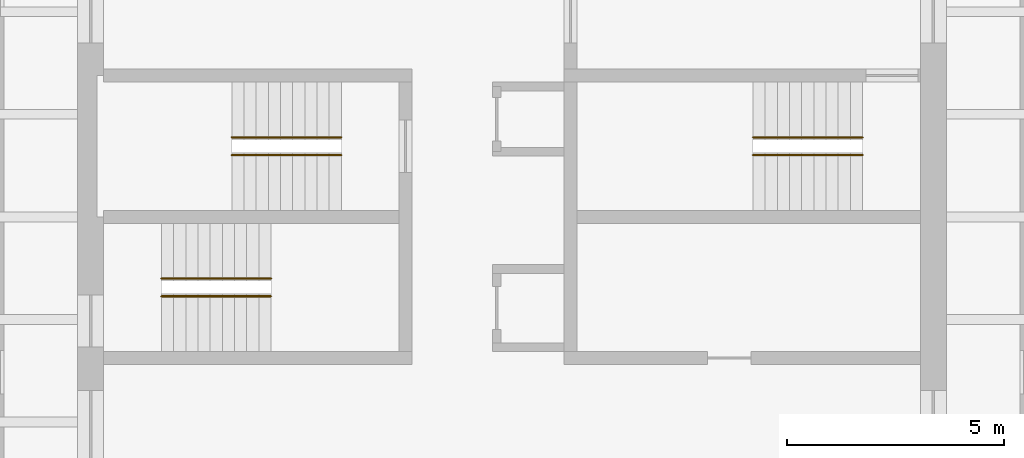
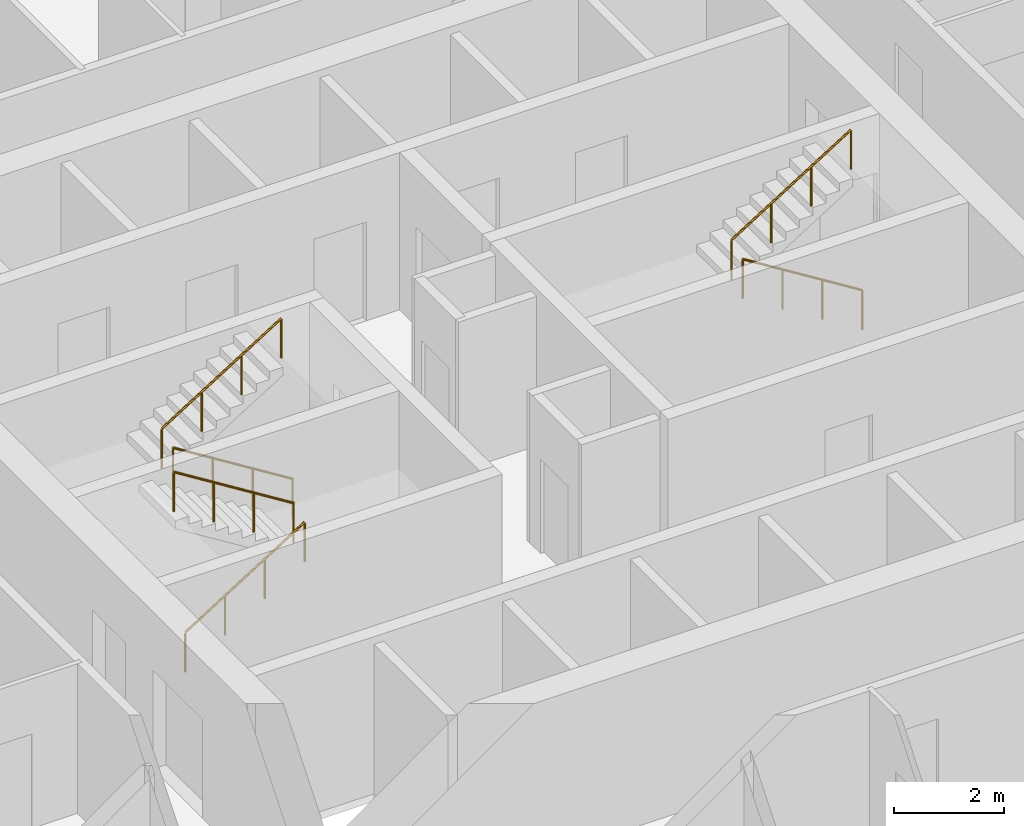
# One storey, part 10 of 10: 6 railings.
"""IFC4 building model written with IfcOpenShell, lengths in metres."""

from ifc_helpers import new_model, si_unit, direction, frame, origin, origin_2d, place, context, subcontext, project, spatial, circle, extrude, material, type_object, element, save


model = new_model("IFC4")

# Units and contexts
model_context = context("Model", 3, precision=1e-05, world=origin(), true_north=direction((0.0, 1.0)))
body_context = subcontext(model_context, "Body", "Model", "MODEL_VIEW")
ifc_project = project(units=[si_unit("LENGTHUNIT", "METRE"), si_unit("AREAUNIT", "SQUARE_METRE"), si_unit("VOLUMEUNIT", "CUBIC_METRE"), si_unit("PLANEANGLEUNIT", "RADIAN"), si_unit("MASSUNIT", "GRAM", prefix="KILO")], contexts=[model_context])

# Site, building, storey
site_placement = place(None, origin())
site = spatial("IfcSite", under=ifc_project, at=site_placement, CompositionType="ELEMENT")
building_placement = place(site_placement, origin())
building = spatial("IfcBuilding", under=site, at=building_placement, Name="Turquesa Mirador Hotel Tower", CompositionType="ELEMENT")
storey_placement = place(building_placement, frame((0.0, 0.0, 63.5)))
storey = spatial("IfcBuildingStorey", under=building, at=storey_placement, Name="L16", CompositionType="ELEMENT", Elevation=63.5)

# Railings
ifc_material = material(Name="Painted steel handrail", Category="steel")
railing_type = type_object("IfcRailingType", Name="HANDRAIL 900 STEEL", PredefinedType="HANDRAIL", material=ifc_material)
railing_1_placement = place(storey_placement, frame((51.070068359375, 46.419921875, 0.175048828125)))
element("IfcRailing", 1, at=railing_1_placement, inside=storey, type_object=railing_type, Name="Handrail ST1", PredefinedType="HANDRAIL", context=body_context, shape_type="SweptSolid", body=[
    extrude(circle(Radius=0.02392578125, at=origin_2d()), frame((0.0, 0.0, 0.8759765625), z_axis=(-0.848007534815, 0.0, 0.529984170421), x_axis=(0.0, -1.0, 0.0)), (0.0, 0.0, 1.0), 2.9716796875),
    extrude(circle(Radius=0.02099609375, at=origin_2d()), origin(), (0.0, 0.0, 1.0), 0.851806640625),
    extrude(circle(Radius=0.02099609375, at=origin_2d()), frame((-0.840087890625, 0.0, 0.52490234375)), (0.0, 0.0, 1.0), 0.851806640625),
    extrude(circle(Radius=0.02099609375, at=origin_2d()), frame((-1.679931640625, 0.0, 1.050048828125)), (0.0, 0.0, 1.0), 0.851806640625),
    extrude(circle(Radius=0.02099609375, at=origin_2d()), frame((-2.52001953125, 0.0, 1.574951171875)), (0.0, 0.0, 1.0), 0.851806640625),
])
for number, where, name in (
    (2, (48.550048828125, 46.830078125, 1.925048828125), "Handrail ST1"),
    (3, (46.929931640625, 43.169921875, 0.175048828125), "Handrail ST2"),
):
    element("IfcRailing", number, at=place(storey_placement, frame(where)), inside=storey, type_object=railing_type, Name=name, PredefinedType="HANDRAIL", context=body_context, shape_type="SweptSolid", body=[
        extrude(circle(Radius=0.02392578125, at=origin_2d()), frame((0.0, 0.0, 0.8759765625), z_axis=(0.848007534815, 0.0, 0.529984170421), x_axis=(0.0, 1.0, 0.0)), (0.0, 0.0, 1.0), 2.9716796875),
        extrude(circle(Radius=0.02099609375, at=origin_2d()), origin(), (0.0, 0.0, 1.0), 0.851806640625),
        extrude(circle(Radius=0.02099609375, at=origin_2d()), frame((0.840087890625, 0.0, 0.52490234375)), (0.0, 0.0, 1.0), 0.851806640625),
        extrude(circle(Radius=0.02099609375, at=origin_2d()), frame((1.679931640625, 0.0, 1.050048828125)), (0.0, 0.0, 1.0), 0.851806640625),
        extrude(circle(Radius=0.02099609375, at=origin_2d()), frame((2.52001953125, 0.0, 1.574951171875)), (0.0, 0.0, 1.0), 0.851806640625),
    ])
for number, where, name in (
    (4, (49.449951171875, 43.580078125, 1.925048828125), "Handrail ST2"),
    (5, (63.070068359375, 46.419921875, 0.175048828125), "Handrail ST3"),
):
    element("IfcRailing", number, at=place(storey_placement, frame(where)), inside=storey, type_object=railing_type, Name=name, PredefinedType="HANDRAIL", context=body_context, shape_type="SweptSolid", body=[
        extrude(circle(Radius=0.02392578125, at=origin_2d()), frame((0.0, 0.0, 0.8759765625), z_axis=(-0.848007534815, 0.0, 0.529984170421), x_axis=(0.0, -1.0, 0.0)), (0.0, 0.0, 1.0), 2.9716796875),
        extrude(circle(Radius=0.02099609375, at=origin_2d()), origin(), (0.0, 0.0, 1.0), 0.851806640625),
        extrude(circle(Radius=0.02099609375, at=origin_2d()), frame((-0.840087890625, 0.0, 0.52490234375)), (0.0, 0.0, 1.0), 0.851806640625),
        extrude(circle(Radius=0.02099609375, at=origin_2d()), frame((-1.679931640625, 0.0, 1.050048828125)), (0.0, 0.0, 1.0), 0.851806640625),
        extrude(circle(Radius=0.02099609375, at=origin_2d()), frame((-2.52001953125, 0.0, 1.574951171875)), (0.0, 0.0, 1.0), 0.851806640625),
    ])
railing_2_placement = place(storey_placement, frame((60.550048828125, 46.830078125, 1.925048828125)))
element("IfcRailing", 6, at=railing_2_placement, inside=storey, type_object=railing_type, Name="Handrail ST3", PredefinedType="HANDRAIL", context=body_context, shape_type="SweptSolid", body=[
    extrude(circle(Radius=0.02392578125, at=origin_2d()), frame((0.0, 0.0, 0.8759765625), z_axis=(0.848007534815, 0.0, 0.529984170421), x_axis=(0.0, 1.0, 0.0)), (0.0, 0.0, 1.0), 2.9716796875),
    extrude(circle(Radius=0.02099609375, at=origin_2d()), origin(), (0.0, 0.0, 1.0), 0.851806640625),
    extrude(circle(Radius=0.02099609375, at=origin_2d()), frame((0.840087890625, 0.0, 0.52490234375)), (0.0, 0.0, 1.0), 0.851806640625),
    extrude(circle(Radius=0.02099609375, at=origin_2d()), frame((1.679931640625, 0.0, 1.050048828125)), (0.0, 0.0, 1.0), 0.851806640625),
    extrude(circle(Radius=0.02099609375, at=origin_2d()), frame((2.52001953125, 0.0, 1.574951171875)), (0.0, 0.0, 1.0), 0.851806640625),
])

save(model, "model.ifc")
